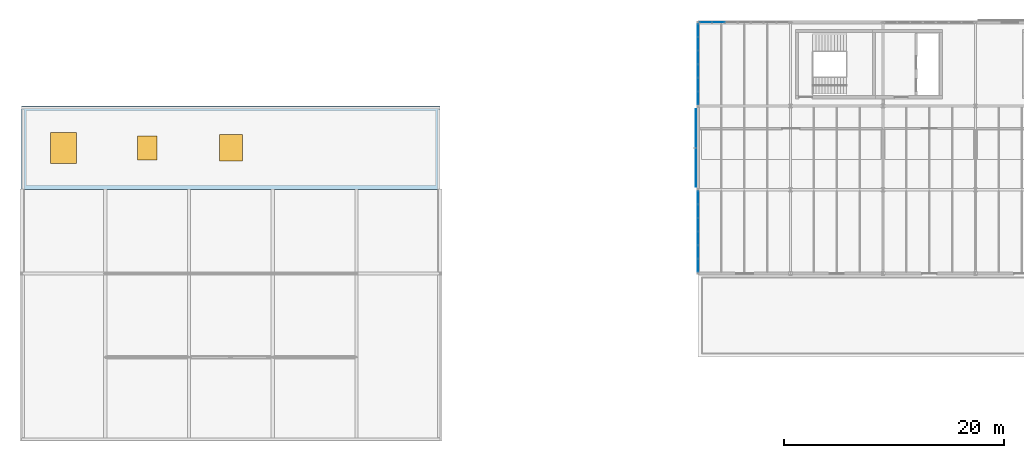
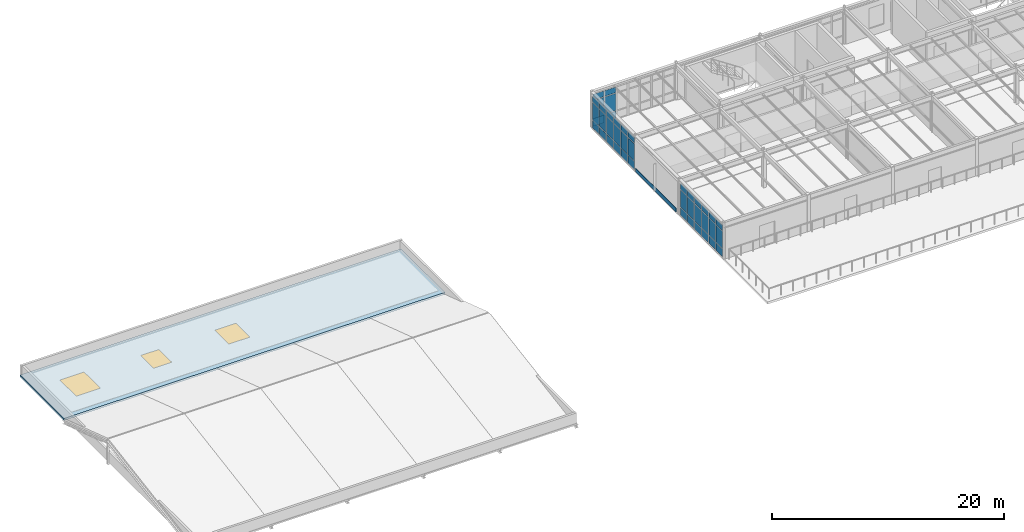
# One storey, part 41 of 65: 43 plates, 3 windows, 1 slab, 3 openings, 3 elements without a shape of their own.
"""IFC4 building model written with IfcOpenShell, lengths in metres."""

from ifc_helpers import new_model, si_unit, direction, frame, origin, origin_2d, place, context, subcontext, project, spatial, polyline, rectangle, outline, extrude, material, layer, layer_set, type_object, element, fill, aggregate, save


model = new_model("IFC4")

# Units and contexts
model_context = context("Model", 3, precision=1e-05, world=origin(), true_north=direction((0.0, 1.0)))
body_context = subcontext(model_context, "Body", "Model", "MODEL_VIEW")
ifc_project = project(units=[si_unit("LENGTHUNIT", "METRE"), si_unit("AREAUNIT", "SQUARE_METRE"), si_unit("VOLUMEUNIT", "CUBIC_METRE"), si_unit("PLANEANGLEUNIT", "RADIAN"), si_unit("MASSUNIT", "GRAM", prefix="KILO")], contexts=[model_context])

# Site, building, storey
site_placement = place(None, origin())
site = spatial("IfcSite", under=ifc_project, at=site_placement, CompositionType="ELEMENT")
building_placement = place(site_placement, origin())
building = spatial("IfcBuilding", under=site, at=building_placement, Name="Montecoro Central Library", CompositionType="ELEMENT")
storey_placement = place(building_placement, frame((0.0, 0.0, 17.340087890625)))
storey = spatial("IfcBuildingStorey", under=building, at=storey_placement, Name="L04", CompositionType="ELEMENT", Elevation=17.340087890625)

# Curtain wall, plates
ifc_material_1 = material(Name="Bronze-anodised aluminium and low-E glazing", Category="aluminium")
ifc_layer_1 = layer(ifc_material_1, 0.159912109375)
ifc_layer_set_1 = layer_set([ifc_layer_1], Name="Bronze-anodised aluminium and low-E glazing")
curtain_wall_type_1 = type_object("IfcCurtainWallType", Name="CWT-022", PredefinedType="NOTDEFINED", material=ifc_layer_set_1)
curtain_wall_1_placement = place(storey_placement, origin())
curtain_wall_1 = element("IfcCurtainWall", 1, at=curtain_wall_1_placement, inside=storey, type_object=curtain_wall_type_1, Name="V2-L04-CW-N0", PredefinedType="NOTDEFINED")
ifc_material_2 = material(Name="Laminated low-E double glazing", Category="glass")
ifc_layer_2 = layer(ifc_material_2, 0.02587890625)
ifc_layer_set_2 = layer_set([ifc_layer_2], Name="Laminated low-E double glazing")
plate_type_1 = type_object("IfcPlateType", Name="CWP-GLZ-01", PredefinedType="CURTAIN_PANEL", material=ifc_layer_set_2)
plate_1_placement = place(storey_placement, frame((68.253173828125, 119.0, 0.059814453125), z_axis=(0.0, 0.0, 1.0), x_axis=(-1.0, 0.0, 0.0)))
plate_1 = element("IfcPlate", 2, at=plate_1_placement, type_object=plate_type_1, Name="CW-022 panel 6.1", PredefinedType="CURTAIN_PANEL", context=body_context, shape_type="SweptSolid", body=[
    extrude(rectangle(XDim=1.113525390625, YDim=0.02587890625, at=origin_2d()), origin(), (0.0, 0.0, 1.0), 0.81005859375),
])
plate_2_placement = place(storey_placement, frame((68.253173828125, 119.0, 0.9296875), z_axis=(0.0, 0.0, 1.0), x_axis=(-1.0, 0.0, 0.0)))
plate_2 = element("IfcPlate", 3, at=plate_2_placement, type_object=plate_type_1, Name="CW-022 panel 6.2", PredefinedType="CURTAIN_PANEL", context=body_context, shape_type="SweptSolid", body=[
    extrude(rectangle(XDim=1.113525390625, YDim=0.02587890625, at=origin_2d()), origin(), (0.0, 0.0, 1.0), 1.820068359375),
])
plate_3_placement = place(storey_placement, frame((68.253173828125, 119.0, 2.81005859375), z_axis=(0.0, 0.0, 1.0), x_axis=(-1.0, 0.0, 0.0)))
plate_3 = element("IfcPlate", 4, at=plate_3_placement, type_object=plate_type_1, Name="CW-022 panel 6.3", PredefinedType="CURTAIN_PANEL", context=body_context, shape_type="SweptSolid", body=[
    extrude(rectangle(XDim=1.113525390625, YDim=0.02587890625, at=origin_2d()), origin(), (0.0, 0.0, 1.0), 0.610107421875),
])
plate_4_placement = place(storey_placement, frame((67.0947265625, 119.0, 0.059814453125), z_axis=(0.0, 0.0, 1.0), x_axis=(-1.0, 0.0, 0.0)))
plate_4 = element("IfcPlate", 5, at=plate_4_placement, type_object=plate_type_1, Name="CW-022 panel 7.1", PredefinedType="CURTAIN_PANEL", context=body_context, shape_type="SweptSolid", body=[
    extrude(rectangle(XDim=1.08349609375, YDim=0.02587890625, at=origin_2d()), origin(), (0.0, 0.0, 1.0), 0.81005859375),
])
plate_5_placement = place(storey_placement, frame((67.0947265625, 119.0, 0.9296875), z_axis=(0.0, 0.0, 1.0), x_axis=(-1.0, 0.0, 0.0)))
plate_5 = element("IfcPlate", 6, at=plate_5_placement, type_object=plate_type_1, Name="CW-022 panel 7.2", PredefinedType="CURTAIN_PANEL", context=body_context, shape_type="SweptSolid", body=[
    extrude(rectangle(XDim=1.08349609375, YDim=0.02587890625, at=origin_2d()), origin(), (0.0, 0.0, 1.0), 1.820068359375),
])
plate_6_placement = place(storey_placement, frame((67.0947265625, 119.0, 2.81005859375), z_axis=(0.0, 0.0, 1.0), x_axis=(-1.0, 0.0, 0.0)))
plate_6 = element("IfcPlate", 7, at=plate_6_placement, type_object=plate_type_1, Name="CW-022 panel 7.3", PredefinedType="CURTAIN_PANEL", context=body_context, shape_type="SweptSolid", body=[
    extrude(rectangle(XDim=1.08349609375, YDim=0.02587890625, at=origin_2d()), origin(), (0.0, 0.0, 1.0), 0.610107421875),
])
aggregate(curtain_wall_1, [plate_1, plate_2, plate_3, plate_4, plate_5, plate_6])

ifc_layer_3 = layer(ifc_material_1, 0.159912109375)
ifc_layer_set_3 = layer_set([ifc_layer_3], Name="Bronze-anodised aluminium and low-E glazing")
curtain_wall_type_2 = type_object("IfcCurtainWallType", Name="CWT-023", PredefinedType="NOTDEFINED", material=ifc_layer_set_3)
curtain_wall_2_placement = place(storey_placement, origin())
curtain_wall_2 = element("IfcCurtainWall", 8, at=curtain_wall_2_placement, inside=storey, type_object=curtain_wall_type_2, Name="V2-L04-CW-W0", PredefinedType="NOTDEFINED")
plate_7_placement = place(storey_placement, frame((66.39990234375, 103.07421875, 0.059814453125), z_axis=(0.0, 0.0, 1.0), x_axis=(0.0, -1.0, 0.0)))
plate_7 = element("IfcPlate", 9, at=plate_7_placement, type_object=plate_type_1, Name="CW-023 panel 1.1", PredefinedType="CURTAIN_PANEL", context=body_context, shape_type="SweptSolid", body=[
    extrude(rectangle(XDim=1.145751953125, YDim=0.02587890625, at=origin_2d()), origin(), (0.0, 0.0, 1.0), 0.81005859375),
])
plate_8_placement = place(storey_placement, frame((66.39990234375, 103.07421875, 0.9296875), z_axis=(0.0, 0.0, 1.0), x_axis=(0.0, -1.0, 0.0)))
plate_8 = element("IfcPlate", 10, at=plate_8_placement, type_object=plate_type_1, Name="CW-023 panel 1.2", PredefinedType="CURTAIN_PANEL", context=body_context, shape_type="SweptSolid", body=[
    extrude(rectangle(XDim=1.145751953125, YDim=0.02587890625, at=origin_2d()), origin(), (0.0, 0.0, 1.0), 1.820068359375),
])
plate_9_placement = place(storey_placement, frame((66.39990234375, 103.07421875, 2.81005859375), z_axis=(0.0, 0.0, 1.0), x_axis=(0.0, -1.0, 0.0)))
plate_9 = element("IfcPlate", 11, at=plate_9_placement, type_object=plate_type_1, Name="CW-023 panel 1.3", PredefinedType="CURTAIN_PANEL", context=body_context, shape_type="SweptSolid", body=[
    extrude(rectangle(XDim=1.145751953125, YDim=0.02587890625, at=origin_2d()), origin(), (0.0, 0.0, 1.0), 0.610107421875),
])
plate_10_placement = place(storey_placement, frame((66.39990234375, 101.853515625, 0.059814453125), z_axis=(0.0, 0.0, 1.0), x_axis=(0.0, -1.0, 0.0)))
plate_10 = element("IfcPlate", 12, at=plate_10_placement, type_object=plate_type_1, Name="CW-023 panel 2.1", PredefinedType="CURTAIN_PANEL", context=body_context, shape_type="SweptSolid", body=[
    extrude(rectangle(XDim=1.17578125, YDim=0.02587890625, at=origin_2d()), origin(), (0.0, 0.0, 1.0), 0.81005859375),
])
plate_11_placement = place(storey_placement, frame((66.39990234375, 101.853515625, 0.9296875), z_axis=(0.0, 0.0, 1.0), x_axis=(0.0, -1.0, 0.0)))
plate_11 = element("IfcPlate", 13, at=plate_11_placement, type_object=plate_type_1, Name="CW-023 panel 2.2", PredefinedType="CURTAIN_PANEL", context=body_context, shape_type="SweptSolid", body=[
    extrude(rectangle(XDim=1.17578125, YDim=0.02587890625, at=origin_2d()), origin(), (0.0, 0.0, 1.0), 1.820068359375),
])
plate_12_placement = place(storey_placement, frame((66.39990234375, 101.853515625, 2.81005859375), z_axis=(0.0, 0.0, 1.0), x_axis=(0.0, -1.0, 0.0)))
plate_12 = element("IfcPlate", 14, at=plate_12_placement, type_object=plate_type_1, Name="CW-023 panel 2.3", PredefinedType="CURTAIN_PANEL", context=body_context, shape_type="SweptSolid", body=[
    extrude(rectangle(XDim=1.17578125, YDim=0.02587890625, at=origin_2d()), origin(), (0.0, 0.0, 1.0), 0.610107421875),
])
plate_13_placement = place(storey_placement, frame((66.39990234375, 100.617919921875, 0.059814453125), z_axis=(0.0, 0.0, 1.0), x_axis=(0.0, -1.0, 0.0)))
plate_13 = element("IfcPlate", 15, at=plate_13_placement, type_object=plate_type_1, Name="CW-023 panel 3.1", PredefinedType="CURTAIN_PANEL", context=body_context, shape_type="SweptSolid", body=[
    extrude(rectangle(XDim=1.17578125, YDim=0.02587890625, at=origin_2d()), origin(), (0.0, 0.0, 1.0), 0.81005859375),
])
plate_14_placement = place(storey_placement, frame((66.39990234375, 100.617919921875, 0.9296875), z_axis=(0.0, 0.0, 1.0), x_axis=(0.0, -1.0, 0.0)))
plate_14 = element("IfcPlate", 16, at=plate_14_placement, type_object=plate_type_1, Name="CW-023 panel 3.2", PredefinedType="CURTAIN_PANEL", context=body_context, shape_type="SweptSolid", body=[
    extrude(rectangle(XDim=1.17578125, YDim=0.02587890625, at=origin_2d()), origin(), (0.0, 0.0, 1.0), 1.820068359375),
])
plate_15_placement = place(storey_placement, frame((66.39990234375, 100.617919921875, 2.81005859375), z_axis=(0.0, 0.0, 1.0), x_axis=(0.0, -1.0, 0.0)))
plate_15 = element("IfcPlate", 17, at=plate_15_placement, type_object=plate_type_1, Name="CW-023 panel 3.3", PredefinedType="CURTAIN_PANEL", context=body_context, shape_type="SweptSolid", body=[
    extrude(rectangle(XDim=1.17578125, YDim=0.02587890625, at=origin_2d()), origin(), (0.0, 0.0, 1.0), 0.610107421875),
])
plate_16_placement = place(storey_placement, frame((66.39990234375, 99.382080078125, 0.059814453125), z_axis=(0.0, 0.0, 1.0), x_axis=(0.0, -1.0, 0.0)))
plate_16 = element("IfcPlate", 18, at=plate_16_placement, type_object=plate_type_1, Name="CW-023 panel 4.1", PredefinedType="CURTAIN_PANEL", context=body_context, shape_type="SweptSolid", body=[
    extrude(rectangle(XDim=1.17578125, YDim=0.02587890625, at=origin_2d()), origin(), (0.0, 0.0, 1.0), 0.81005859375),
])
plate_17_placement = place(storey_placement, frame((66.39990234375, 99.382080078125, 0.9296875), z_axis=(0.0, 0.0, 1.0), x_axis=(0.0, -1.0, 0.0)))
plate_17 = element("IfcPlate", 19, at=plate_17_placement, type_object=plate_type_1, Name="CW-023 panel 4.2", PredefinedType="CURTAIN_PANEL", context=body_context, shape_type="SweptSolid", body=[
    extrude(rectangle(XDim=1.17578125, YDim=0.02587890625, at=origin_2d()), origin(), (0.0, 0.0, 1.0), 1.820068359375),
])
plate_18_placement = place(storey_placement, frame((66.39990234375, 99.382080078125, 2.81005859375), z_axis=(0.0, 0.0, 1.0), x_axis=(0.0, -1.0, 0.0)))
plate_18 = element("IfcPlate", 20, at=plate_18_placement, type_object=plate_type_1, Name="CW-023 panel 4.3", PredefinedType="CURTAIN_PANEL", context=body_context, shape_type="SweptSolid", body=[
    extrude(rectangle(XDim=1.17578125, YDim=0.02587890625, at=origin_2d()), origin(), (0.0, 0.0, 1.0), 0.610107421875),
])
plate_19_placement = place(storey_placement, frame((66.39990234375, 98.146484375, 0.059814453125), z_axis=(0.0, 0.0, 1.0), x_axis=(0.0, -1.0, 0.0)))
plate_19 = element("IfcPlate", 21, at=plate_19_placement, type_object=plate_type_1, Name="CW-023 panel 5.1", PredefinedType="CURTAIN_PANEL", context=body_context, shape_type="SweptSolid", body=[
    extrude(rectangle(XDim=1.17578125, YDim=0.02587890625, at=origin_2d()), origin(), (0.0, 0.0, 1.0), 0.81005859375),
])
plate_20_placement = place(storey_placement, frame((66.39990234375, 98.146484375, 0.9296875), z_axis=(0.0, 0.0, 1.0), x_axis=(0.0, -1.0, 0.0)))
plate_20 = element("IfcPlate", 22, at=plate_20_placement, type_object=plate_type_1, Name="CW-023 panel 5.2", PredefinedType="CURTAIN_PANEL", context=body_context, shape_type="SweptSolid", body=[
    extrude(rectangle(XDim=1.17578125, YDim=0.02587890625, at=origin_2d()), origin(), (0.0, 0.0, 1.0), 1.820068359375),
])
plate_21_placement = place(storey_placement, frame((66.39990234375, 98.146484375, 2.81005859375), z_axis=(0.0, 0.0, 1.0), x_axis=(0.0, -1.0, 0.0)))
plate_21 = element("IfcPlate", 23, at=plate_21_placement, type_object=plate_type_1, Name="CW-023 panel 5.3", PredefinedType="CURTAIN_PANEL", context=body_context, shape_type="SweptSolid", body=[
    extrude(rectangle(XDim=1.17578125, YDim=0.02587890625, at=origin_2d()), origin(), (0.0, 0.0, 1.0), 0.610107421875),
])
plate_22_placement = place(storey_placement, frame((66.39990234375, 96.92578125, 0.059814453125), z_axis=(0.0, 0.0, 1.0), x_axis=(0.0, -1.0, 0.0)))
plate_22 = element("IfcPlate", 24, at=plate_22_placement, type_object=plate_type_1, Name="CW-023 panel 6.1", PredefinedType="CURTAIN_PANEL", context=body_context, shape_type="SweptSolid", body=[
    extrude(rectangle(XDim=1.145751953125, YDim=0.02587890625, at=origin_2d()), origin(), (0.0, 0.0, 1.0), 0.81005859375),
])
plate_23_placement = place(storey_placement, frame((66.39990234375, 96.92578125, 0.9296875), z_axis=(0.0, 0.0, 1.0), x_axis=(0.0, -1.0, 0.0)))
plate_23 = element("IfcPlate", 25, at=plate_23_placement, type_object=plate_type_1, Name="CW-023 panel 6.2", PredefinedType="CURTAIN_PANEL", context=body_context, shape_type="SweptSolid", body=[
    extrude(rectangle(XDim=1.145751953125, YDim=0.02587890625, at=origin_2d()), origin(), (0.0, 0.0, 1.0), 1.820068359375),
])
plate_24_placement = place(storey_placement, frame((66.39990234375, 96.92578125, 2.81005859375), z_axis=(0.0, 0.0, 1.0), x_axis=(0.0, -1.0, 0.0)))
plate_24 = element("IfcPlate", 26, at=plate_24_placement, type_object=plate_type_1, Name="CW-023 panel 6.3", PredefinedType="CURTAIN_PANEL", context=body_context, shape_type="SweptSolid", body=[
    extrude(rectangle(XDim=1.145751953125, YDim=0.02587890625, at=origin_2d()), origin(), (0.0, 0.0, 1.0), 0.610107421875),
])
aggregate(curtain_wall_2, [plate_7, plate_8, plate_9, plate_10, plate_11, plate_12, plate_13, plate_14, plate_15, plate_16, plate_17, plate_18, plate_19, plate_20, plate_21, plate_22, plate_23, plate_24])

curtain_wall_3_placement = place(storey_placement, origin())
curtain_wall_3 = element("IfcCurtainWall", 27, at=curtain_wall_3_placement, inside=storey, type_object=curtain_wall_type_2, Name="V2-L04-CW-W2", PredefinedType="NOTDEFINED")
ifc_layer_4 = layer(ifc_material_2, 0.033935546875)
ifc_layer_set_4 = layer_set([ifc_layer_4], Name="Laminated low-E double glazing")
plate_type_2 = type_object("IfcPlateType", Name="CWP-GLZ-03", PredefinedType="CURTAIN_PANEL", material=ifc_layer_set_4)
plate_25_placement = place(storey_placement, frame((66.39990234375, 118.274169921875, 0.059814453125), z_axis=(0.0, 0.0, 1.0), x_axis=(0.0, -1.0, 0.0)))
plate_25 = element("IfcPlate", 28, at=plate_25_placement, type_object=plate_type_2, Name="CW-023 panel 1.1", PredefinedType="CURTAIN_PANEL", context=body_context, shape_type="SweptSolid", body=[
    extrude(rectangle(XDim=1.145751953125, YDim=0.033935546875, at=origin_2d()), origin(), (0.0, 0.0, 1.0), 0.81005859375),
])
plate_26_placement = place(storey_placement, frame((66.39990234375, 118.274169921875, 0.9296875), z_axis=(0.0, 0.0, 1.0), x_axis=(0.0, -1.0, 0.0)))
plate_26 = element("IfcPlate", 29, at=plate_26_placement, type_object=plate_type_2, Name="CW-023 panel 1.2", PredefinedType="CURTAIN_PANEL", context=body_context, shape_type="SweptSolid", body=[
    extrude(rectangle(XDim=1.145751953125, YDim=0.033935546875, at=origin_2d()), origin(), (0.0, 0.0, 1.0), 1.820068359375),
])
plate_27_placement = place(storey_placement, frame((66.39990234375, 118.274169921875, 2.81005859375), z_axis=(0.0, 0.0, 1.0), x_axis=(0.0, -1.0, 0.0)))
plate_27 = element("IfcPlate", 30, at=plate_27_placement, type_object=plate_type_2, Name="CW-023 panel 1.3", PredefinedType="CURTAIN_PANEL", context=body_context, shape_type="SweptSolid", body=[
    extrude(rectangle(XDim=1.145751953125, YDim=0.033935546875, at=origin_2d()), origin(), (0.0, 0.0, 1.0), 0.610107421875),
])
plate_28_placement = place(storey_placement, frame((66.39990234375, 117.053466796875, 0.059814453125), z_axis=(0.0, 0.0, 1.0), x_axis=(0.0, -1.0, 0.0)))
plate_28 = element("IfcPlate", 31, at=plate_28_placement, type_object=plate_type_2, Name="CW-023 panel 2.1", PredefinedType="CURTAIN_PANEL", context=body_context, shape_type="SweptSolid", body=[
    extrude(rectangle(XDim=1.17578125, YDim=0.033935546875, at=origin_2d()), origin(), (0.0, 0.0, 1.0), 0.81005859375),
])
plate_29_placement = place(storey_placement, frame((66.39990234375, 117.053466796875, 0.9296875), z_axis=(0.0, 0.0, 1.0), x_axis=(0.0, -1.0, 0.0)))
plate_29 = element("IfcPlate", 32, at=plate_29_placement, type_object=plate_type_2, Name="CW-023 panel 2.2", PredefinedType="CURTAIN_PANEL", context=body_context, shape_type="SweptSolid", body=[
    extrude(rectangle(XDim=1.17578125, YDim=0.033935546875, at=origin_2d()), origin(), (0.0, 0.0, 1.0), 1.820068359375),
])
plate_30_placement = place(storey_placement, frame((66.39990234375, 117.053466796875, 2.81005859375), z_axis=(0.0, 0.0, 1.0), x_axis=(0.0, -1.0, 0.0)))
plate_30 = element("IfcPlate", 33, at=plate_30_placement, type_object=plate_type_2, Name="CW-023 panel 2.3", PredefinedType="CURTAIN_PANEL", context=body_context, shape_type="SweptSolid", body=[
    extrude(rectangle(XDim=1.17578125, YDim=0.033935546875, at=origin_2d()), origin(), (0.0, 0.0, 1.0), 0.610107421875),
])
plate_31_placement = place(storey_placement, frame((66.39990234375, 115.81787109375, 0.059814453125), z_axis=(0.0, 0.0, 1.0), x_axis=(0.0, -1.0, 0.0)))
plate_31 = element("IfcPlate", 34, at=plate_31_placement, type_object=plate_type_2, Name="CW-023 panel 3.1", PredefinedType="CURTAIN_PANEL", context=body_context, shape_type="SweptSolid", body=[
    extrude(rectangle(XDim=1.17578125, YDim=0.033935546875, at=origin_2d()), origin(), (0.0, 0.0, 1.0), 0.81005859375),
])
plate_32_placement = place(storey_placement, frame((66.39990234375, 115.81787109375, 0.9296875), z_axis=(0.0, 0.0, 1.0), x_axis=(0.0, -1.0, 0.0)))
plate_32 = element("IfcPlate", 35, at=plate_32_placement, type_object=plate_type_2, Name="CW-023 panel 3.2", PredefinedType="CURTAIN_PANEL", context=body_context, shape_type="SweptSolid", body=[
    extrude(rectangle(XDim=1.17578125, YDim=0.033935546875, at=origin_2d()), origin(), (0.0, 0.0, 1.0), 1.820068359375),
])
plate_33_placement = place(storey_placement, frame((66.39990234375, 115.81787109375, 2.81005859375), z_axis=(0.0, 0.0, 1.0), x_axis=(0.0, -1.0, 0.0)))
plate_33 = element("IfcPlate", 36, at=plate_33_placement, type_object=plate_type_2, Name="CW-023 panel 3.3", PredefinedType="CURTAIN_PANEL", context=body_context, shape_type="SweptSolid", body=[
    extrude(rectangle(XDim=1.17578125, YDim=0.033935546875, at=origin_2d()), origin(), (0.0, 0.0, 1.0), 0.610107421875),
])
plate_34_placement = place(storey_placement, frame((66.39990234375, 114.582275390625, 0.059814453125), z_axis=(0.0, 0.0, 1.0), x_axis=(0.0, -1.0, 0.0)))
plate_34 = element("IfcPlate", 37, at=plate_34_placement, type_object=plate_type_2, Name="CW-023 panel 4.1", PredefinedType="CURTAIN_PANEL", context=body_context, shape_type="SweptSolid", body=[
    extrude(rectangle(XDim=1.17578125, YDim=0.033935546875, at=origin_2d()), origin(), (0.0, 0.0, 1.0), 0.81005859375),
])
plate_35_placement = place(storey_placement, frame((66.39990234375, 114.582275390625, 0.9296875), z_axis=(0.0, 0.0, 1.0), x_axis=(0.0, -1.0, 0.0)))
plate_35 = element("IfcPlate", 38, at=plate_35_placement, type_object=plate_type_2, Name="CW-023 panel 4.2", PredefinedType="CURTAIN_PANEL", context=body_context, shape_type="SweptSolid", body=[
    extrude(rectangle(XDim=1.17578125, YDim=0.033935546875, at=origin_2d()), origin(), (0.0, 0.0, 1.0), 1.820068359375),
])
plate_36_placement = place(storey_placement, frame((66.39990234375, 114.582275390625, 2.81005859375), z_axis=(0.0, 0.0, 1.0), x_axis=(0.0, -1.0, 0.0)))
plate_36 = element("IfcPlate", 39, at=plate_36_placement, type_object=plate_type_2, Name="CW-023 panel 4.3", PredefinedType="CURTAIN_PANEL", context=body_context, shape_type="SweptSolid", body=[
    extrude(rectangle(XDim=1.17578125, YDim=0.033935546875, at=origin_2d()), origin(), (0.0, 0.0, 1.0), 0.610107421875),
])
plate_37_placement = place(storey_placement, frame((66.39990234375, 113.346435546875, 0.059814453125), z_axis=(0.0, 0.0, 1.0), x_axis=(0.0, -1.0, 0.0)))
plate_37 = element("IfcPlate", 40, at=plate_37_placement, type_object=plate_type_2, Name="CW-023 panel 5.1", PredefinedType="CURTAIN_PANEL", context=body_context, shape_type="SweptSolid", body=[
    extrude(rectangle(XDim=1.17578125, YDim=0.033935546875, at=origin_2d()), origin(), (0.0, 0.0, 1.0), 0.81005859375),
])
plate_38_placement = place(storey_placement, frame((66.39990234375, 113.346435546875, 0.9296875), z_axis=(0.0, 0.0, 1.0), x_axis=(0.0, -1.0, 0.0)))
plate_38 = element("IfcPlate", 41, at=plate_38_placement, type_object=plate_type_2, Name="CW-023 panel 5.2", PredefinedType="CURTAIN_PANEL", context=body_context, shape_type="SweptSolid", body=[
    extrude(rectangle(XDim=1.17578125, YDim=0.033935546875, at=origin_2d()), origin(), (0.0, 0.0, 1.0), 1.820068359375),
])
plate_39_placement = place(storey_placement, frame((66.39990234375, 113.346435546875, 2.81005859375), z_axis=(0.0, 0.0, 1.0), x_axis=(0.0, -1.0, 0.0)))
plate_39 = element("IfcPlate", 42, at=plate_39_placement, type_object=plate_type_2, Name="CW-023 panel 5.3", PredefinedType="CURTAIN_PANEL", context=body_context, shape_type="SweptSolid", body=[
    extrude(rectangle(XDim=1.17578125, YDim=0.033935546875, at=origin_2d()), origin(), (0.0, 0.0, 1.0), 0.610107421875),
])
plate_40_placement = place(storey_placement, frame((66.39990234375, 112.125732421875, 0.059814453125), z_axis=(0.0, 0.0, 1.0), x_axis=(0.0, -1.0, 0.0)))
plate_40 = element("IfcPlate", 43, at=plate_40_placement, type_object=plate_type_2, Name="CW-023 panel 6.1", PredefinedType="CURTAIN_PANEL", context=body_context, shape_type="SweptSolid", body=[
    extrude(rectangle(XDim=1.145751953125, YDim=0.033935546875, at=origin_2d()), origin(), (0.0, 0.0, 1.0), 0.81005859375),
])
plate_41_placement = place(storey_placement, frame((66.39990234375, 112.125732421875, 0.9296875), z_axis=(0.0, 0.0, 1.0), x_axis=(0.0, -1.0, 0.0)))
plate_41 = element("IfcPlate", 44, at=plate_41_placement, type_object=plate_type_2, Name="CW-023 panel 6.2", PredefinedType="CURTAIN_PANEL", context=body_context, shape_type="SweptSolid", body=[
    extrude(rectangle(XDim=1.145751953125, YDim=0.033935546875, at=origin_2d()), origin(), (0.0, 0.0, 1.0), 1.820068359375),
])
plate_42_placement = place(storey_placement, frame((66.39990234375, 112.125732421875, 2.81005859375), z_axis=(0.0, 0.0, 1.0), x_axis=(0.0, -1.0, 0.0)))
plate_42 = element("IfcPlate", 45, at=plate_42_placement, type_object=plate_type_2, Name="CW-023 panel 6.3", PredefinedType="CURTAIN_PANEL", context=body_context, shape_type="SweptSolid", body=[
    extrude(rectangle(XDim=1.145751953125, YDim=0.033935546875, at=origin_2d()), origin(), (0.0, 0.0, 1.0), 0.610107421875),
])
aggregate(curtain_wall_3, [plate_25, plate_26, plate_27, plate_28, plate_29, plate_30, plate_31, plate_32, plate_33, plate_34, plate_35, plate_36, plate_37, plate_38, plate_39, plate_40, plate_41, plate_42])

# Plate
ifc_material_3 = material(Name="Architectural bronze spandrel plate", Category="aluminium")
ifc_layer_5 = layer(ifc_material_3, 0.035888671875)
ifc_layer_set_5 = layer_set([ifc_layer_5], Name="Architectural bronze spandrel plate")
plate_type_3 = type_object("IfcPlateType", Name="PLT-SPN-03", PredefinedType="SHEET", material=ifc_layer_set_5)
plate_43_placement = place(storey_placement, frame((66.22705078125, 107.60009765625, 0.159912109375), z_axis=(0.0, 0.0, 1.0), x_axis=(0.0, -1.0, 0.0)))
element("IfcPlate", 46, at=plate_43_placement, inside=storey, type_object=plate_type_3, Name="V2-L04-SPN-W1", PredefinedType="SHEET", context=body_context, shape_type="SweptSolid", body=[
    extrude(rectangle(XDim=7.013916015625, YDim=0.035888671875, at=origin_2d()), origin(), (0.0, 0.0, 1.0), 0.39990234375),
])

# Slab, openings, windows
ifc_material_4 = material(Name="Concrete C32/40", Category="concrete")
ifc_layer_6 = layer(ifc_material_4, 0.2099609375)
ifc_layer_set_6 = layer_set([ifc_layer_6], Name="Concrete C32/40")
slab_type = type_object("IfcSlabType", Name="SL-ROOF-210", PredefinedType="ROOF", material=ifc_layer_set_6)
slab_placement = place(storey_placement, frame((0.0, 0.0, -0.210205078125)))
slab = element("IfcSlab", 47, at=slab_placement, inside=storey, type_object=slab_type, Name="V4-ROOF-SL1", PredefinedType="ROOF", context=body_context, shape_type="SweptSolid", body=[
    extrude(outline(polyline([(5.0, 103.800048828125), (43.0, 103.800048828125), (43.0, 111.39990234375), (5.0, 111.39990234375), (5.0, 103.800048828125)])), origin(), (0.0, 0.0, 1.0), 0.210205078125),
])
opening_1_placement = place(slab_placement, frame((8.800048828125, 107.60009765625, 0.0)))
opening_1 = element("IfcOpeningElement", 48, at=opening_1_placement, cuts=slab, Name="Opening SK-01", PredefinedType="OPENING", context=body_context, shape_type="SweptSolid", body=[
    extrude(rectangle(XDim=2.39990234375, YDim=2.800048828125, at=origin_2d()), frame((0.0, 0.0, -0.010009765625)), (0.0, 0.0, 1.0), 0.230224609375),
])
opening_2_placement = place(slab_placement, frame((16.39990234375, 107.60009765625, 0.0)))
opening_2 = element("IfcOpeningElement", 49, at=opening_2_placement, cuts=slab, Name="Opening SK-03", PredefinedType="OPENING", context=body_context, shape_type="SweptSolid", body=[
    extrude(rectangle(XDim=1.800048828125, YDim=2.199951171875, at=origin_2d()), frame((0.0, 0.0, -0.010009765625)), (0.0, 0.0, 1.0), 0.230224609375),
])
opening_3_placement = place(slab_placement, frame((24.0, 107.60009765625, 0.0)))
opening_3 = element("IfcOpeningElement", 50, at=opening_3_placement, cuts=slab, Name="Opening SK-04", PredefinedType="OPENING", context=body_context, shape_type="SweptSolid", body=[
    extrude(rectangle(XDim=2.10009765625, YDim=2.39990234375, at=origin_2d()), frame((0.0, 0.0, -0.010009765625)), (0.0, 0.0, 1.0), 0.230224609375),
])
ifc_material_5 = material(Name="Solar-control laminated skylight glazing", Category="glass")
window_type_1 = type_object("IfcWindowType", Name="SK-ATR-240", PartitioningType="SINGLE_PANEL", PredefinedType="SKYLIGHT", material=ifc_material_5)
window_1_placement = place(opening_1_placement, frame((0.0, 0.0, 0.16015625)))
window_1 = element("IfcWindow", 51, at=window_1_placement, inside=storey, type_object=window_type_1, Name="V4-ROOF-SK-1", OverallHeight=2.800048828125, OverallWidth=2.39990234375, PartitioningType="SINGLE_PANEL", PredefinedType="SKYLIGHT", context=body_context, shape_type="SweptSolid", body=[
    extrude(rectangle(XDim=2.39990234375, YDim=2.800048828125, at=origin_2d()), origin(), (0.0, 0.0, 1.0), 0.050048828125),
])
fill(opening_1, window_1)
window_type_2 = type_object("IfcWindowType", Name="SK-GAL-180", PartitioningType="SINGLE_PANEL", PredefinedType="SKYLIGHT", material=ifc_material_5)
window_2_placement = place(opening_2_placement, frame((0.0, 0.0, 0.16015625)))
window_2 = element("IfcWindow", 52, at=window_2_placement, inside=storey, type_object=window_type_2, Name="V4-ROOF-SK-2", OverallHeight=2.199951171875, OverallWidth=1.800048828125, PartitioningType="SINGLE_PANEL", PredefinedType="SKYLIGHT", context=body_context, shape_type="SweptSolid", body=[
    extrude(rectangle(XDim=1.800048828125, YDim=2.199951171875, at=origin_2d()), origin(), (0.0, 0.0, 1.0), 0.050048828125),
])
fill(opening_2, window_2)
window_type_3 = type_object("IfcWindowType", Name="SK-GAL-210", PartitioningType="SINGLE_PANEL", PredefinedType="SKYLIGHT", material=ifc_material_5)
window_3_placement = place(opening_3_placement, frame((0.0, 0.0, 0.16015625)))
window_3 = element("IfcWindow", 53, at=window_3_placement, inside=storey, type_object=window_type_3, Name="V4-ROOF-SK-3", OverallHeight=2.39990234375, OverallWidth=2.10009765625, PartitioningType="SINGLE_PANEL", PredefinedType="SKYLIGHT", context=body_context, shape_type="SweptSolid", body=[
    extrude(rectangle(XDim=2.10009765625, YDim=2.39990234375, at=origin_2d()), origin(), (0.0, 0.0, 1.0), 0.050048828125),
])
fill(opening_3, window_3)

save(model, "model.ifc")
